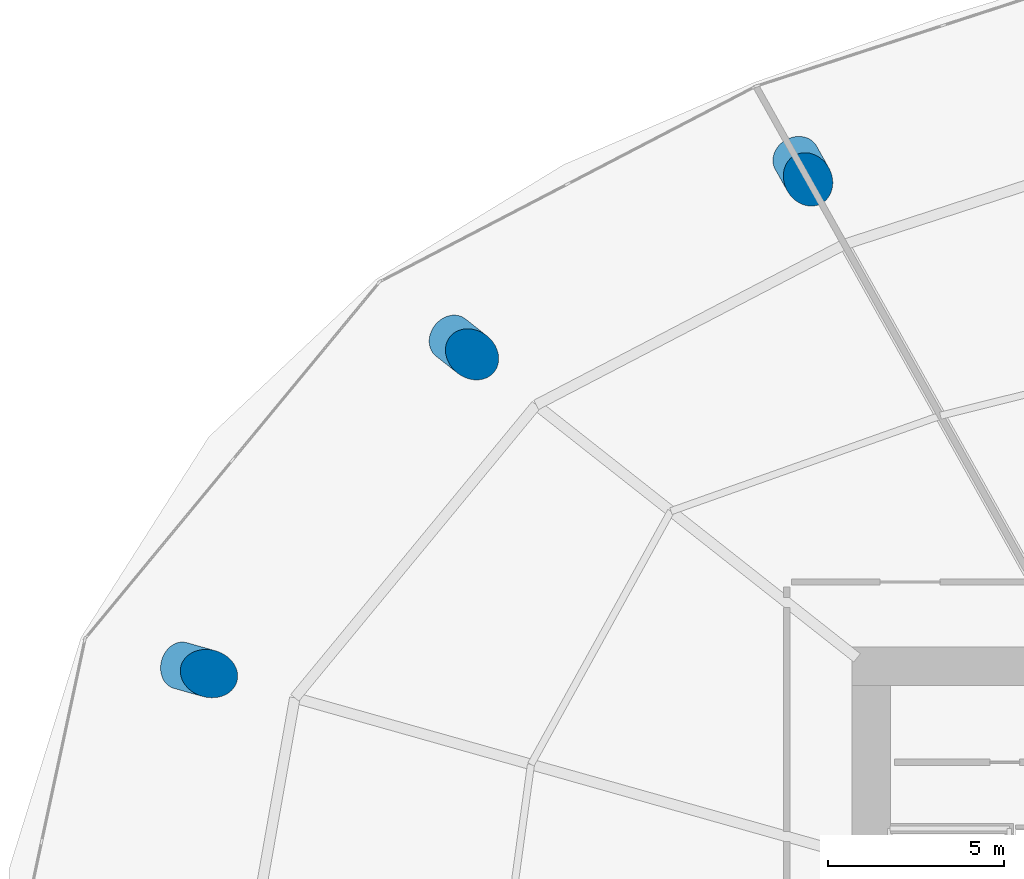
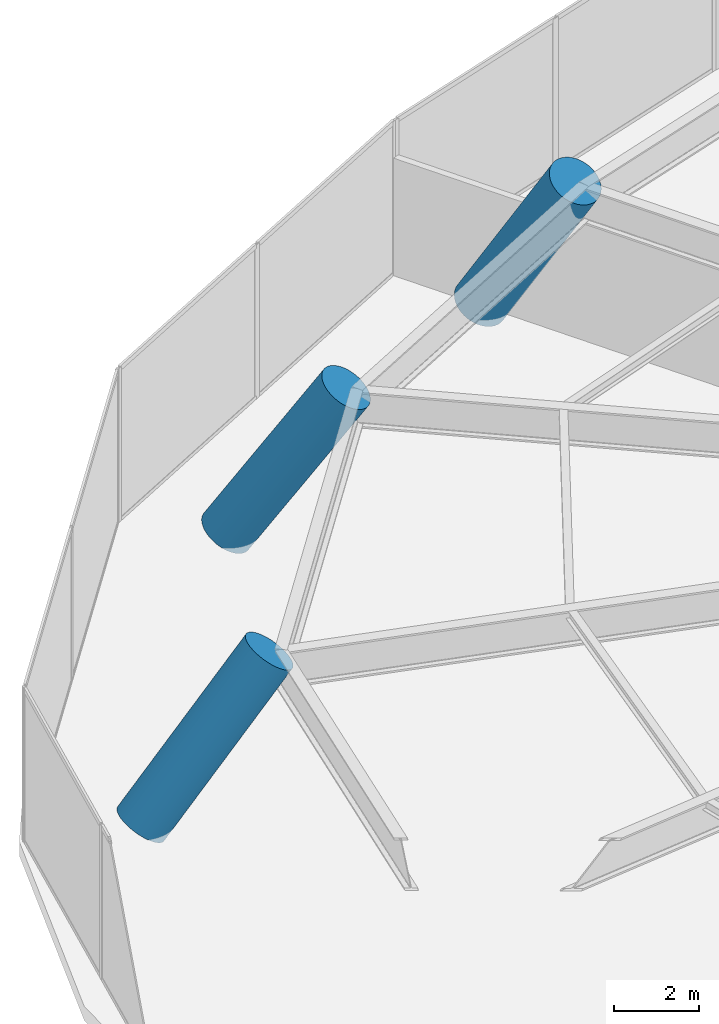
# One storey, part 4 of 21: 3 columns.
"""IFC4 building model written with IfcOpenShell, lengths in metres."""

from ifc_helpers import new_model, si_unit, direction, frame, origin, origin_2d, place, context, subcontext, project, spatial, circle, extrude, material, material_profile, profile_set, type_object, element, save


model = new_model("IFC4")

# Units and contexts
model_context = context("Model", 3, precision=1e-05, world=origin(), true_north=direction((0.0, 1.0)))
body_context = subcontext(model_context, "Body", "Model", "MODEL_VIEW")
ifc_project = project(units=[si_unit("LENGTHUNIT", "METRE"), si_unit("AREAUNIT", "SQUARE_METRE"), si_unit("VOLUMEUNIT", "CUBIC_METRE"), si_unit("PLANEANGLEUNIT", "RADIAN"), si_unit("MASSUNIT", "GRAM", prefix="KILO")], contexts=[model_context])

# Site, building, storey
site_placement = place(None, origin())
site = spatial("IfcSite", under=ifc_project, at=site_placement, CompositionType="ELEMENT")
building_placement = place(site_placement, origin())
building = spatial("IfcBuilding", under=site, at=building_placement, Name="Kazma Halo Residences", CompositionType="ELEMENT")
storey_placement = place(building_placement, frame((0.0, 0.0, 21.60009765625)))
storey = spatial("IfcBuildingStorey", under=building, at=storey_placement, Name="L04", CompositionType="ELEMENT", Elevation=21.60009765625)

# Columns
ifc_material = material(Name="Concrete C80/95", Category="concrete")
ifc_material_profile = material_profile(ifc_material, circle(Radius=0.675048828125, at=origin_2d()), Name="CIRC1350")
ifc_profile_set = profile_set([ifc_material_profile], Name="Concrete C80/95")
column_type = type_object("IfcColumnType", Name="COL-PERIM-1350", PredefinedType="COLUMN", material=ifc_profile_set)
column_1_placement = place(storey_placement, frame((35.110595703125, 65.015625, 0.0), z_axis=(0.247961982584, -0.442707288227, 0.861698968401), x_axis=(0.872467449304, 0.488672231568, 0.0)))
element("IfcColumn", 1, at=column_1_placement, inside=storey, type_object=column_type, Name="L04 perimeter ring column P05", PredefinedType="COLUMN", context=body_context, shape_type="SweptSolid", body=[
    extrude(circle(Radius=0.675048828125, at=origin_2d()), origin(), (0.0, 0.0, 1.0), 5.10595703125),
])
column_2_placement = place(storey_placement, frame((25.291015625, 59.90234375, 0.0), z_axis=(0.425909043598, -0.335748350699, 0.840163395766), x_axis=(0.619081137709, 0.785327030563, 0.0)))
element("IfcColumn", 2, at=column_2_placement, inside=storey, type_object=column_type, Name="L04 perimeter ring column P06", PredefinedType="COLUMN", context=body_context, shape_type="SweptSolid", body=[
    extrude(circle(Radius=0.675048828125, at=origin_2d()), origin(), (0.0, 0.0, 1.0), 5.237060546875),
])
column_3_placement = place(storey_placement, frame((17.602294921875, 50.572998046875, 0.0), z_axis=(0.554552366056, -0.156415694351, 0.817316220237), x_axis=(0.271465773361, 0.96244809413, 0.0)))
element("IfcColumn", 3, at=column_3_placement, inside=storey, type_object=column_type, Name="L04 perimeter ring column P07", PredefinedType="COLUMN", context=body_context, shape_type="SweptSolid", body=[
    extrude(circle(Radius=0.675048828125, at=origin_2d()), origin(), (0.0, 0.0, 1.0), 5.38330078125),
])

save(model, "model.ifc")
